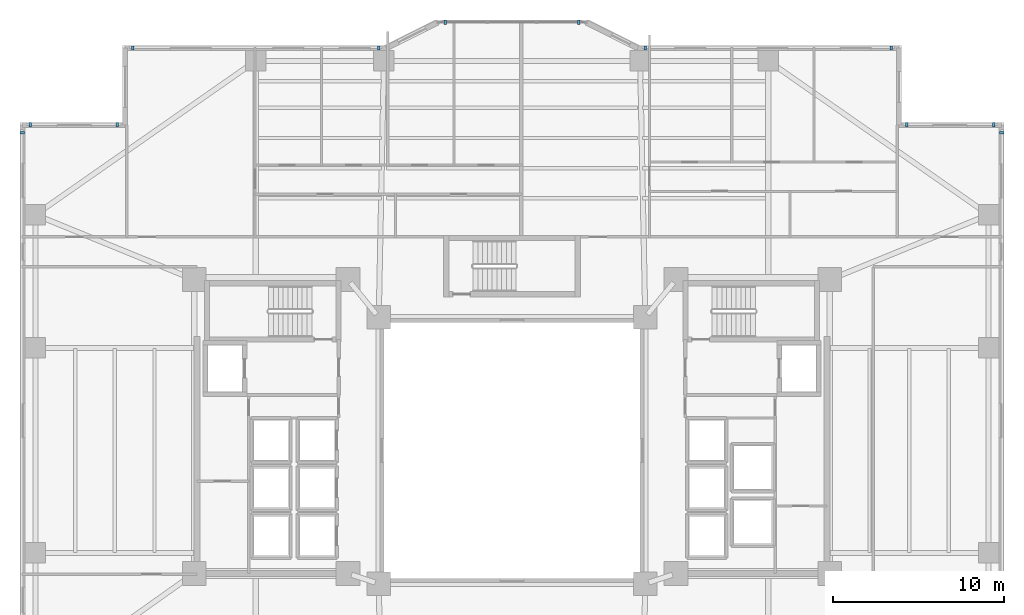
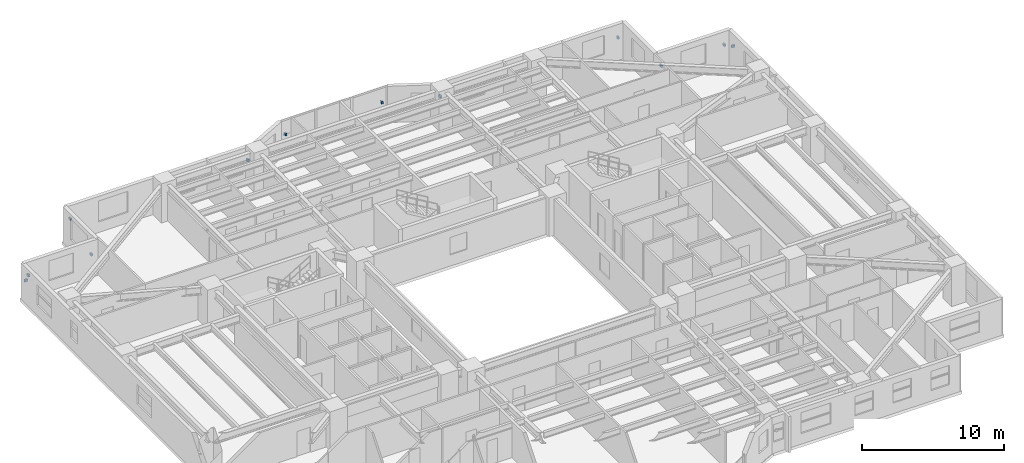
# One storey, part 17 of 20: 12 discrete accessories.
"""IFC4 building model written with IfcOpenShell, lengths in metres."""

from ifc_helpers import new_model, si_unit, direction, frame, origin, origin_2d, place, context, subcontext, project, spatial, rectangle, extrude, material, type_object, element, save


model = new_model("IFC4")

# Units and contexts
model_context = context("Model", 3, precision=1e-05, world=origin(), true_north=direction((0.0, 1.0)))
body_context = subcontext(model_context, "Body", "Model", "MODEL_VIEW")
ifc_project = project(units=[si_unit("LENGTHUNIT", "METRE"), si_unit("AREAUNIT", "SQUARE_METRE"), si_unit("VOLUMEUNIT", "CUBIC_METRE"), si_unit("PLANEANGLEUNIT", "RADIAN"), si_unit("MASSUNIT", "GRAM", prefix="KILO")], contexts=[model_context])

# Site, building, storey
site_placement = place(None, origin())
site = spatial("IfcSite", under=ifc_project, at=site_placement, CompositionType="ELEMENT")
building_placement = place(site_placement, origin())
building = spatial("IfcBuilding", under=site, at=building_placement, Name="Tarnavaz Court Tower", CompositionType="ELEMENT")
storey_placement = place(building_placement, frame((0.0, 0.0, 34.050048828125)))
storey = spatial("IfcBuildingStorey", under=building, at=storey_placement, Name="L08", CompositionType="ELEMENT", Elevation=34.050048828125)

# Discrete accessories
ifc_material = material(Name="Anodised Aluminium 6063-T6", Category="aluminium")
discrete_accessory_type = type_object("IfcDiscreteAccessoryType", Name="DA-BRKT-ALU", PredefinedType="BRACKET", material=ifc_material)
for number, where, z_axis, x_axis, name in (
    (1, (-28.669921875, 18.60009765625, 1.75), (0.0, 0.0, 1.0), (0.0, 1.0, 0.0), "L08 Baguette Outrigger Bracket FBG02-2"),
    (2, (-28.199951171875, 19.070068359375, 1.75), (0.0, 0.0, 1.0), (1.0, 0.0, 0.0), "L08 Baguette Outrigger Bracket FBG03-1"),
    (3, (-23.10009765625, 19.070068359375, 1.75), (0.0, 0.0, 1.0), (1.0, 0.0, 0.0), "L08 Baguette Outrigger Bracket FBG03-2"),
    (4, (-22.199951171875, 23.570068359375, 1.75), (0.0, 0.0, 1.0), (1.0, 0.0, 0.0), "L08 Baguette Outrigger Bracket FBG05-1"),
    (5, (-7.800048828125, 23.570068359375, 1.75), (0.0, 0.0, 1.0), (1.0, 0.0, 0.0), "L08 Baguette Outrigger Bracket FBG05-2"),
    (6, (-3.89990234375, 25.070068359375, 1.7001953125), (0.0, 0.0, 1.0), (1.0, 0.0, 0.0), "L08 Baguette Outrigger Bracket PBG7-1"),
    (7, (3.89990234375, 25.070068359375, 1.7001953125), (0.0, 0.0, 1.0), (1.0, 0.0, 0.0), "L08 Baguette Outrigger Bracket PBG7-2"),
    (8, (7.800048828125, 23.570068359375, 1.75), (0.0, 0.0, 1.0), (1.0, 0.0, 0.0), "L08 Baguette Outrigger Bracket FBG09-1"),
    (9, (22.199951171875, 23.570068359375, 1.75), (0.0, 0.0, 1.0), (1.0, 0.0, 0.0), "L08 Baguette Outrigger Bracket FBG09-2"),
    (10, (23.10009765625, 19.070068359375, 1.75), (0.0, 0.0, 1.0), (1.0, 0.0, 0.0), "L08 Baguette Outrigger Bracket FBG11-1"),
    (11, (28.199951171875, 19.070068359375, 1.75), (0.0, 0.0, 1.0), (1.0, 0.0, 0.0), "L08 Baguette Outrigger Bracket FBG11-2"),
    (12, (28.669921875, 18.60009765625, 1.75), (0.0, 0.0, 1.0), (0.0, -1.0, 0.0), "L08 Baguette Outrigger Bracket FBG12-1"),
):
    element("IfcDiscreteAccessory", number, at=place(storey_placement, frame(where, z_axis=z_axis, x_axis=x_axis)), inside=storey, type_object=discrete_accessory_type, Name=name, PredefinedType="BRACKET", context=body_context, shape_type="SweptSolid", body=[
        extrude(rectangle(XDim=0.139892578125, YDim=0.239990234375, at=origin_2d()), origin(), (0.0, 0.0, 1.0), 0.199951171875),
    ])

save(model, "model.ifc")
